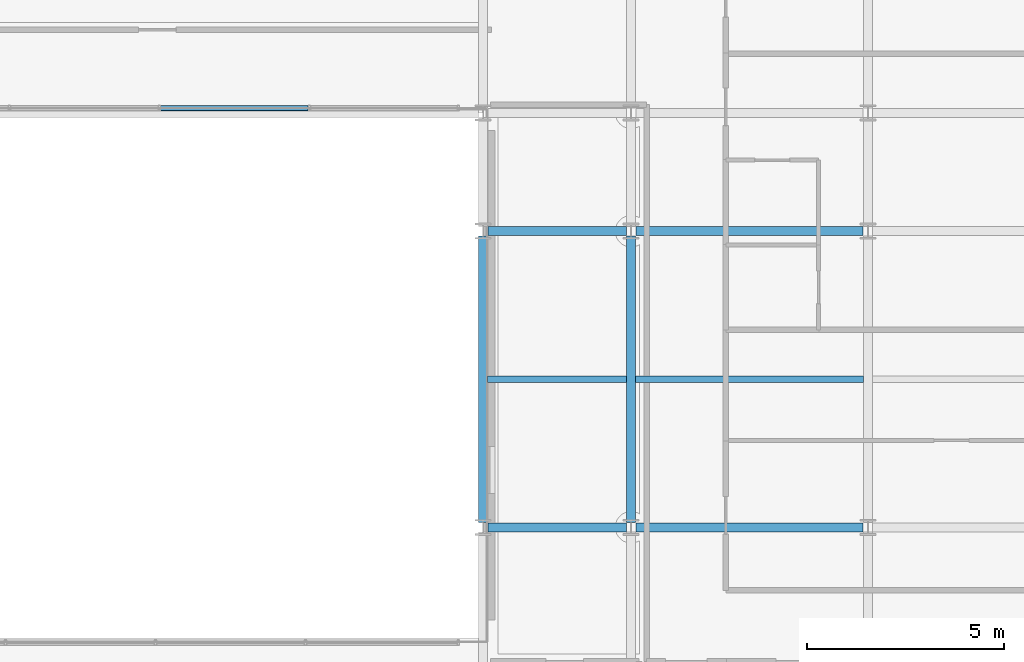
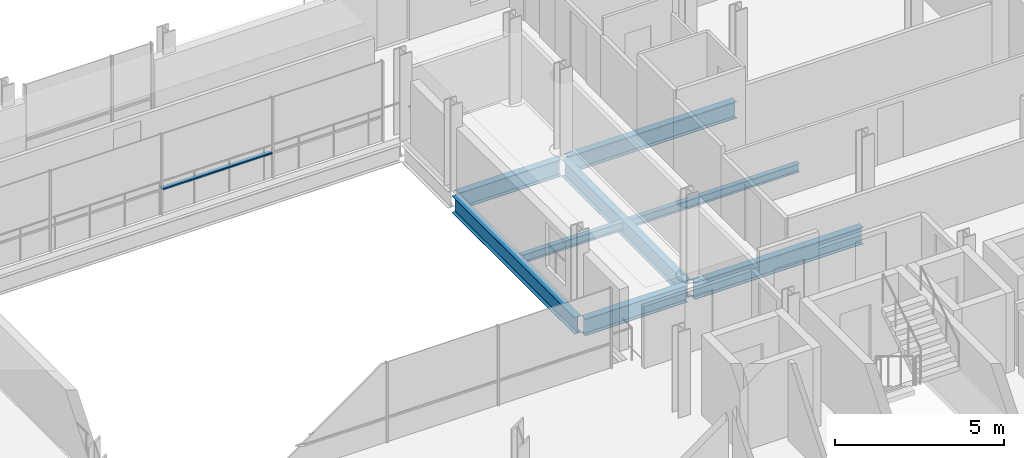
# One storey, part 18 of 39: 8 beams, 1 member, 1 element without a shape of its own.
"""IFC4 building model written with IfcOpenShell, lengths in metres."""

import ifcopenshell
import ifcopenshell.guid

model = None  # the IFC model being written
_history = None  # IfcOwnerHistory: only IFC2X3 demands one
_inside = {}  # id of a spatial element -> (the spatial element, [elements in it])
_under = {}  # id of a project, library or spatial element -> (it, [spatial elements below it])
_declared = {}  # id of a project -> (the project, [libraries it declares])
_typed = {}  # id of a type object -> (the type object, [elements of that type])
_made_of = {}  # id of a material, layer set ... -> (it, [elements and type objects made of it])


def new_model(schema):
    """Start an empty IFC model of exactly this schema.

    Asked for "IFC4X3", IfcOpenShell would pick the latest addendum, in which some entities
    have other attributes; the version numbers below select the first issue.
    IFC2X3 requires an IfcOwnerHistory on every rooted entity: one is made here for all.
    """
    global model, _history
    if schema == "IFC4X3":
        model = ifcopenshell.file(schema_version=(4, 3, 0, 0))
    else:
        model = ifcopenshell.file(schema=schema)
    _inside.clear()
    _under.clear()
    _declared.clear()
    _typed.clear()
    _made_of.clear()
    _history = None
    if model.schema == "IFC2X3":
        org = make("IfcOrganization", Name="unknown")
        user = make(
            "IfcPersonAndOrganization",
            ThePerson=make("IfcPerson", FamilyName="unknown"),
            TheOrganization=org,
        )
        app = make(
            "IfcApplication",
            ApplicationDeveloper=org,
            Version="unknown",
            ApplicationFullName="unknown",
            ApplicationIdentifier="unknown",
        )
        _history = make(
            "IfcOwnerHistory",
            OwningUser=user,
            OwningApplication=app,
            ChangeAction="ADDED",
            CreationDate=0,
        )
    return model


def make(cls, **values):
    """One entity of the class cls with the attributes given. An attribute that is None is left unset."""
    return model.create_entity(
        cls, **{name: value for name, value in values.items() if value is not None}
    )


def rooted(cls, **values):
    """An entity with a GlobalId (a new one), such as an element, a storey or a relation."""
    return make(cls, GlobalId=ifcopenshell.guid.new(), OwnerHistory=_history, **values)


def si_unit(unit_type, name, prefix=None):
    """IfcSIUnit, for example si_unit("LENGTHUNIT", "METRE", prefix="MILLI")."""
    return make("IfcSIUnit", UnitType=unit_type, Prefix=prefix, Name=name)


def assignment(units):
    """IfcUnitAssignment: the units of a project."""
    return None if units is None else make("IfcUnitAssignment", Units=units)


def point(xyz):
    """IfcCartesianPoint."""
    return None if xyz is None else make("IfcCartesianPoint", Coordinates=xyz)


def direction(xyz):
    """IfcDirection."""
    return None if xyz is None else make("IfcDirection", DirectionRatios=xyz)


def frame(location, z_axis=None, x_axis=None):
    """IfcAxis2Placement3D, a coordinate frame: its origin and axes. An axis left out is left unset."""
    return make(
        "IfcAxis2Placement3D",
        Location=point(location),
        Axis=direction(z_axis),
        RefDirection=direction(x_axis),
    )


def frame_2d(location, x_axis=None):
    """IfcAxis2Placement2D, a coordinate frame in the plane: its origin and x axis."""
    return make(
        "IfcAxis2Placement2D", Location=point(location), RefDirection=direction(x_axis)
    )


def origin():
    """The frame at (0, 0, 0) with its axes left unset."""
    return frame((0.0, 0.0, 0.0))


def origin_2d():
    """The frame at (0, 0) in the plane with its x axis left unset."""
    return frame_2d((0.0, 0.0))


def place(relative_to, where):
    """IfcLocalPlacement: puts the frame where relative to a parent placement (None: the world)."""
    return make(
        "IfcLocalPlacement", PlacementRelTo=relative_to, RelativePlacement=where
    )


def context(
    kind, dimensions, precision=None, world=None, true_north=None, identifier=None
):
    """IfcGeometricRepresentationContext, for example the 3D "Model" context."""
    return make(
        "IfcGeometricRepresentationContext",
        ContextIdentifier=identifier,
        ContextType=kind,
        CoordinateSpaceDimension=dimensions,
        Precision=precision,
        WorldCoordinateSystem=world,
        TrueNorth=true_north,
    )


def subcontext(parent, identifier, kind, view, scale=None):
    """IfcGeometricRepresentationSubContext, for example "Body" below "Model"."""
    return make(
        "IfcGeometricRepresentationSubContext",
        ContextIdentifier=identifier,
        ContextType=kind,
        ParentContext=parent,
        TargetScale=scale,
        TargetView=view,
    )


def project(units=None, contexts=None):
    """IfcProject with its units and contexts."""
    return rooted(
        "IfcProject",
        Name="project",
        RepresentationContexts=contexts,
        UnitsInContext=assignment(units),
    )


def spatial(cls, under=None, at=None, **own):
    """A site, building, storey or space (cls), placed at a placement, below another one or the project."""
    s = rooted(cls, ObjectPlacement=at, **own)
    if under is not None:
        _under.setdefault(under.id(), (under, []))[1].append(s)
    return s


def profile(cls, at=None, kind="AREA", **sizes):
    """A parametric profile (cls). Its sizes go by their IFC names, for example OverallWidth=200.0."""
    return make(cls, ProfileType=kind, Position=at, **sizes)


def hollow_rectangle(**sizes):
    """IfcRectangleHollowProfileDef."""
    return profile("IfcRectangleHollowProfileDef", **sizes)


def i_section(**sizes):
    """IfcIShapeProfileDef."""
    return profile("IfcIShapeProfileDef", **sizes)


def extrude(swept, where, along, depth):
    """IfcExtrudedAreaSolid: the profile swept, set in the frame where, extruded along a direction by depth."""
    return make(
        "IfcExtrudedAreaSolid",
        SweptArea=swept,
        Position=where,
        ExtrudedDirection=direction(along),
        Depth=depth,
    )


def shape(context_of_items, identifier, shape_type, items):
    """IfcShapeRepresentation: the items that make up one representation, for example the "Body"."""
    return make(
        "IfcShapeRepresentation",
        ContextOfItems=context_of_items,
        RepresentationIdentifier=identifier,
        RepresentationType=shape_type,
        Items=items,
    )


def material(Name=None, Category=None):
    """IfcMaterial."""
    return make("IfcMaterial", Name=Name, Category=Category)


def layer(
    of_material, thickness, ventilated=None, Name=None, Category=None, Priority=None
):
    """IfcMaterialLayer: one layer of a wall or slab, of a material (None: an air gap)."""
    return make(
        "IfcMaterialLayer",
        Material=of_material,
        LayerThickness=thickness,
        IsVentilated=ventilated,
        Name=Name,
        Category=Category,
        Priority=Priority,
    )


def layer_set(layers, Name=None):
    """IfcMaterialLayerSet."""
    return make("IfcMaterialLayerSet", MaterialLayers=layers, LayerSetName=Name)


def material_profile(
    of_material, cross_section, Name=None, Category=None, Priority=None
):
    """IfcMaterialProfile: a cross section and its material."""
    return make(
        "IfcMaterialProfile",
        Name=Name,
        Material=of_material,
        Profile=cross_section,
        Priority=Priority,
        Category=Category,
    )


def profile_set(profiles, Name=None, composite=None):
    """IfcMaterialProfileSet."""
    return make(
        "IfcMaterialProfileSet",
        Name=Name,
        MaterialProfiles=profiles,
        CompositeProfile=composite,
    )


def made_of(thing, what):
    """Note that an element or type object is made of a material, layer set ...; save() writes the relation."""
    if what is not None:
        _made_of.setdefault(what.id(), (what, []))[1].append(thing)
    return thing


def type_object(cls, material=None, **own):
    """A type object (cls), such as IfcWallType, which elements share."""
    return made_of(rooted(cls, **own), material)


def element(
    cls,
    number,
    at=None,
    inside=None,
    cuts=None,
    type_object=None,
    material=None,
    context=None,
    identifier="Body",
    shape_type=None,
    held_by="IfcProductDefinitionShape",
    body=None,
    shapes=None,
    **own,
):
    """One element of the class cls, such as IfcWall. Its Tag is "e" and its number.

    at: its placement. inside: the storey or other place that contains it. cuts: it is an
    opening in that element (IfcRelVoidsElement). A single representation is given by context,
    identifier, shape_type and body (its items); several are given by shapes. held_by: the class
    of the entity that holds the representations. save() writes the other relations.
    """
    e = rooted(cls, Tag="e%d" % number, ObjectPlacement=at, **own)
    if body is not None:
        shapes = [shape(context, identifier, shape_type, body)]
    if shapes is not None:
        e.Representation = make(held_by, Representations=shapes)
    if inside is not None:
        _inside.setdefault(inside.id(), (inside, []))[1].append(e)
    if cuts is not None:
        rooted(
            "IfcRelVoidsElement", RelatingBuildingElement=cuts, RelatedOpeningElement=e
        )
    if type_object is not None:
        _typed.setdefault(type_object.id(), (type_object, []))[1].append(e)
    return made_of(e, material)


def aggregate(whole, parts):
    """IfcRelAggregates: a whole, such as a stair, and the parts it consists of."""
    return rooted("IfcRelAggregates", RelatingObject=whole, RelatedObjects=parts)


def save(model, path):
    """Write the relations noted so far, then the file.

    IfcRelAggregates (storeys below a building ...), IfcRelContainedInSpatialStructure (elements
    in a storey), IfcRelDefinesByType, IfcRelAssociatesMaterial and IfcRelDeclares: one each for
    every whole, place, type object, material and project.
    """
    for whole, parts in _under.values():
        aggregate(whole, parts)
    for where, things in _inside.values():
        rooted(
            "IfcRelContainedInSpatialStructure",
            RelatedElements=things,
            RelatingStructure=where,
        )
    for kind, things in _typed.values():
        rooted("IfcRelDefinesByType", RelatedObjects=things, RelatingType=kind)
    for what, things in _made_of.values():
        rooted("IfcRelAssociatesMaterial", RelatedObjects=things, RelatingMaterial=what)
    for by, libraries in _declared.values():
        rooted("IfcRelDeclares", RelatingContext=by, RelatedDefinitions=libraries)
    model.write(path)


model = new_model("IFC4")

# Units and contexts
model_context = context("Model", 3, precision=1e-05, world=origin(), true_north=direction((0.0, 1.0)))
body_context = subcontext(model_context, "Body", "Model", "MODEL_VIEW")
ifc_project = project(units=[si_unit("LENGTHUNIT", "METRE"), si_unit("AREAUNIT", "SQUARE_METRE"), si_unit("VOLUMEUNIT", "CUBIC_METRE"), si_unit("PLANEANGLEUNIT", "RADIAN"), si_unit("MASSUNIT", "GRAM", prefix="KILO")], contexts=[model_context])

# Site, building, storey
site_placement = place(None, origin())
site = spatial("IfcSite", under=ifc_project, at=site_placement, CompositionType="ELEMENT")
building_placement = place(site_placement, origin())
building = spatial("IfcBuilding", under=site, at=building_placement, Name="Brevholm Reach", CompositionType="ELEMENT")
storey_placement = place(building_placement, frame((0.0, 0.0, 154.199951171875)))
storey = spatial("IfcBuildingStorey", under=building, at=storey_placement, Name="L46", CompositionType="ELEMENT", Elevation=154.199951171875)

# Beams
ifc_material_1 = material(Name="Structural Steel S355J2", Category="steel")
ifc_material_profile_1 = material_profile(ifc_material_1, i_section(OverallWidth=0.1650390625, OverallDepth=0.303466796875, WebThickness=0.006103515625, FlangeThickness=0.01025390625, FilletRadius=0.0087890625, at=origin_2d()), Name="UKB 305x165x40")
ifc_profile_set_1 = profile_set([ifc_material_profile_1], Name="Structural Steel S355J2")
beam_type_1 = type_object("IfcBeamType", Name="BM-B305", PredefinedType="BEAM", material=ifc_profile_set_1)
beam_1_placement = place(storey_placement, frame((38.364501953125, 19.75, -0.37158203125), z_axis=(1.0, 0.0, 0.0), x_axis=(0.0, 1.0, 0.0)))
element("IfcBeam", 1, at=beam_1_placement, inside=storey, type_object=beam_type_1, Name="L46 Composite Secondary Floor Beam", PredefinedType="BEAM", context=body_context, shape_type="SweptSolid", body=[
    extrude(i_section(OverallWidth=0.1650390625, OverallDepth=0.303466796875, WebThickness=0.006103515625, FlangeThickness=0.01025390625, FilletRadius=0.0087890625, at=origin_2d()), origin(), (0.0, 0.0, 1.0), 3.52099609375),
])
beam_2_placement = place(storey_placement, frame((42.114501953125, 19.75, -0.37158203125), z_axis=(1.0, 0.0, 0.0), x_axis=(0.0, 1.0, 0.0)))
element("IfcBeam", 2, at=beam_2_placement, inside=storey, type_object=beam_type_1, Name="L46 Composite Secondary Floor Beam", PredefinedType="BEAM", context=body_context, shape_type="SweptSolid", body=[
    extrude(i_section(OverallWidth=0.1650390625, OverallDepth=0.303466796875, WebThickness=0.006103515625, FlangeThickness=0.01025390625, FilletRadius=0.0087890625, at=origin_2d()), origin(), (0.0, 0.0, 1.0), 5.77099609375),
])
ifc_material_2 = material(Name="Structural Steel S355J2", Category="steel")
ifc_material_profile_2 = material_profile(ifc_material_2, i_section(OverallWidth=0.22900390625, OverallDepth=0.6123046875, WebThickness=0.011962890625, FlangeThickness=0.01953125, FilletRadius=0.0126953125, at=origin_2d()), Name="UKB 610x229x125")
ifc_profile_set_2 = profile_set([ifc_material_profile_2], Name="Structural Steel S355J2")
beam_type_2 = type_object("IfcBeamType", Name="BM-SP610", PredefinedType="SPANDREL", material=ifc_profile_set_2)
beam_3_placement = place(storey_placement, frame((38.3701171875, 16.0, -0.526123046875), z_axis=(1.0, 0.0, 0.0), x_axis=(0.0, 1.0, 0.0)))
element("IfcBeam", 3, at=beam_3_placement, inside=storey, type_object=beam_type_2, Name="L46 SP-01 Framing Beam", PredefinedType="SPANDREL", context=body_context, shape_type="SweptSolid", body=[
    extrude(i_section(OverallWidth=0.22900390625, OverallDepth=0.6123046875, WebThickness=0.011962890625, FlangeThickness=0.01953125, FilletRadius=0.0126953125, at=origin_2d()), origin(), (0.0, 0.0, 1.0), 3.509765625),
])
beam_4_placement = place(storey_placement, frame((42.1201171875, 16.0, -0.526123046875), z_axis=(1.0, 0.0, 0.0), x_axis=(0.0, 1.0, 0.0)))
element("IfcBeam", 4, at=beam_4_placement, inside=storey, type_object=beam_type_2, Name="L46 SP-01 Framing Beam", PredefinedType="SPANDREL", context=body_context, shape_type="SweptSolid", body=[
    extrude(i_section(OverallWidth=0.22900390625, OverallDepth=0.6123046875, WebThickness=0.011962890625, FlangeThickness=0.01953125, FilletRadius=0.0126953125, at=origin_2d()), origin(), (0.0, 0.0, 1.0), 5.759765625),
])
beam_5_placement = place(storey_placement, frame((38.3701171875, 23.5, -0.526123046875), z_axis=(1.0, 0.0, 0.0), x_axis=(0.0, 1.0, 0.0)))
element("IfcBeam", 5, at=beam_5_placement, inside=storey, type_object=beam_type_2, Name="L46 SP-01 Framing Beam", PredefinedType="SPANDREL", context=body_context, shape_type="SweptSolid", body=[
    extrude(i_section(OverallWidth=0.22900390625, OverallDepth=0.6123046875, WebThickness=0.011962890625, FlangeThickness=0.01953125, FilletRadius=0.0126953125, at=origin_2d()), origin(), (0.0, 0.0, 1.0), 3.509765625),
])
beam_6_placement = place(storey_placement, frame((42.1201171875, 23.5, -0.526123046875), z_axis=(1.0, 0.0, 0.0), x_axis=(0.0, 1.0, 0.0)))
element("IfcBeam", 6, at=beam_6_placement, inside=storey, type_object=beam_type_2, Name="L46 SP-01 Framing Beam", PredefinedType="SPANDREL", context=body_context, shape_type="SweptSolid", body=[
    extrude(i_section(OverallWidth=0.22900390625, OverallDepth=0.6123046875, WebThickness=0.011962890625, FlangeThickness=0.01953125, FilletRadius=0.0126953125, at=origin_2d()), origin(), (0.0, 0.0, 1.0), 5.759765625),
])
for number, where, z_axis, x_axis, name in (
    (7, (38.25, 16.1201171875, -0.526123046875), (0.0, 1.0, 0.0), (-1.0, 0.0, 0.0), "L46 SP-01 Framing Beam"),
    (8, (42.0, 16.1201171875, -0.526123046875), (0.0, 1.0, 0.0), (-1.0, 0.0, 0.0), "L46 SP-01 Framing Beam"),
):
    element("IfcBeam", number, at=place(storey_placement, frame(where, z_axis=z_axis, x_axis=x_axis)), inside=storey, type_object=beam_type_2, Name=name, PredefinedType="SPANDREL", context=body_context, shape_type="SweptSolid", body=[
        extrude(i_section(OverallWidth=0.22900390625, OverallDepth=0.6123046875, WebThickness=0.011962890625, FlangeThickness=0.01953125, FilletRadius=0.0126953125, at=origin_2d()), origin(), (0.0, 0.0, 1.0), 7.259765625),
    ])

# Curtain wall, member
ifc_material_3 = material(Name="Dark Anodised Aluminium 6063-T6 and Solar-Control Glass", Category="aluminium")
ifc_layer = layer(ifc_material_3, 0.139892578125)
ifc_layer_set = layer_set([ifc_layer], Name="Dark Anodised Aluminium 6063-T6 and Solar-Control Glass")
curtain_wall_type = type_object("IfcCurtainWallType", Name="CW-02", PredefinedType="NOTDEFINED", material=ifc_layer_set)
curtain_wall_placement = place(storey_placement, origin())
curtain_wall = element("IfcCurtainWall", 9, at=curtain_wall_placement, inside=storey, type_object=curtain_wall_type, Name="L46 Curtain Wall CW-02", PredefinedType="NOTDEFINED")
ifc_material_4 = material(Name="Dark Anodised Aluminium 6063-T6", Category="aluminium")
ifc_material_profile_3 = material_profile(ifc_material_4, hollow_rectangle(XDim=0.06005859375, YDim=0.139892578125, WallThickness=0.0048828125, InnerFilletRadius=0.0048828125, OuterFilletRadius=0.010009765625, at=origin_2d()), Name="RHS 140x60x5")
ifc_profile_set_3 = profile_set([ifc_material_profile_3], Name="Dark Anodised Aluminium 6063-T6")
member_type = type_object("IfcMemberType", Name="CWT-140", PredefinedType="NOTDEFINED", material=ifc_profile_set_3)
member_placement = place(storey_placement, frame((33.820068359375, 26.6201171875, 0.900146484375), z_axis=(-1.0, 0.0, 0.0), x_axis=(0.0, 0.0, 1.0)))
member = element("IfcMember", 10, at=member_placement, type_object=member_type, Name="CT-140 Transom 2.1", ObjectType="TRANSOM", PredefinedType="USERDEFINED", context=body_context, shape_type="SweptSolid", body=[
    extrude(hollow_rectangle(XDim=0.06005859375, YDim=0.139892578125, WallThickness=0.0048828125, InnerFilletRadius=0.0048828125, OuterFilletRadius=0.010009765625, at=origin_2d()), origin(), (0.0, 0.0, 1.0), 3.739990234375),
])
aggregate(curtain_wall, [member])

save(model, "model.ifc")
